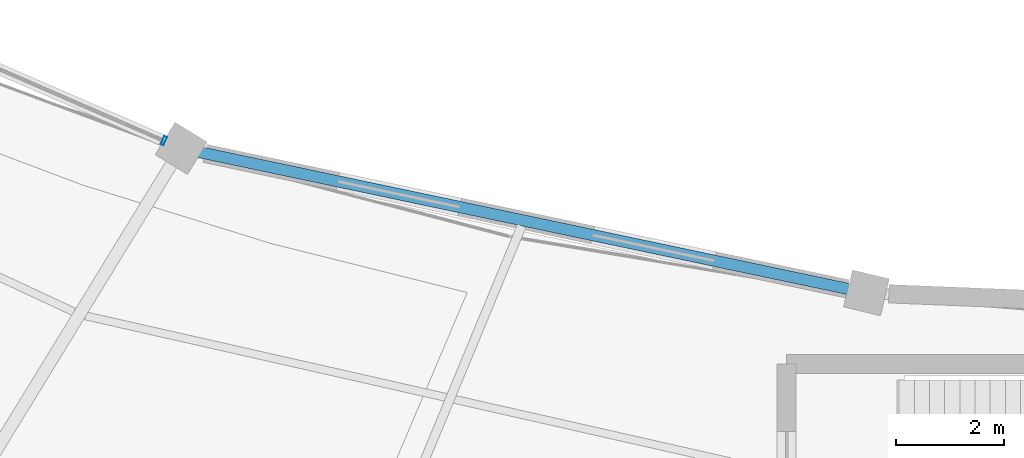
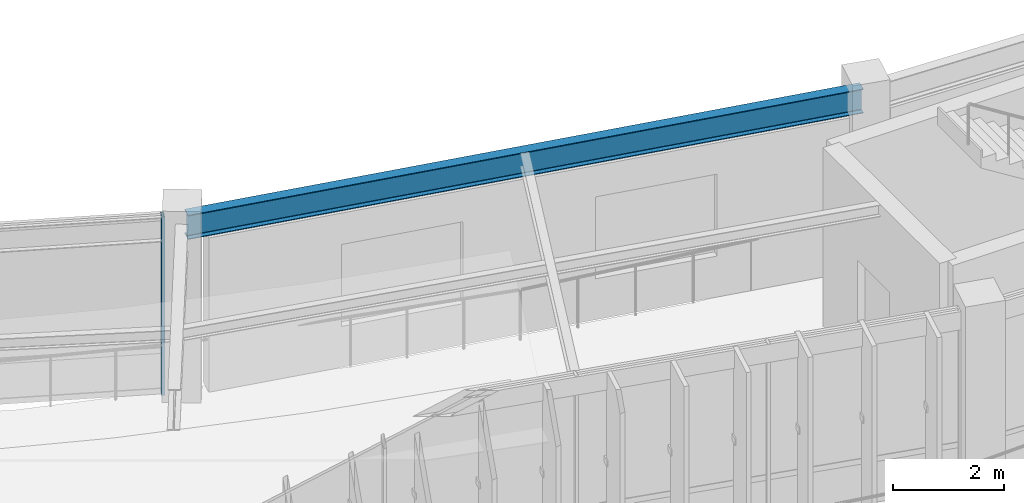
# One storey, part 62 of 152: 1 beam, 1 member, 1 element without a shape of its own.
"""IFC4 building model written with IfcOpenShell, lengths in metres."""

import ifcopenshell
import ifcopenshell.guid

model = None  # the IFC model being written
_history = None  # IfcOwnerHistory: only IFC2X3 demands one
_inside = {}  # id of a spatial element -> (the spatial element, [elements in it])
_under = {}  # id of a project, library or spatial element -> (it, [spatial elements below it])
_declared = {}  # id of a project -> (the project, [libraries it declares])
_typed = {}  # id of a type object -> (the type object, [elements of that type])
_made_of = {}  # id of a material, layer set ... -> (it, [elements and type objects made of it])


def new_model(schema):
    """Start an empty IFC model of exactly this schema.

    Asked for "IFC4X3", IfcOpenShell would pick the latest addendum, in which some entities
    have other attributes; the version numbers below select the first issue.
    IFC2X3 requires an IfcOwnerHistory on every rooted entity: one is made here for all.
    """
    global model, _history
    if schema == "IFC4X3":
        model = ifcopenshell.file(schema_version=(4, 3, 0, 0))
    else:
        model = ifcopenshell.file(schema=schema)
    _inside.clear()
    _under.clear()
    _declared.clear()
    _typed.clear()
    _made_of.clear()
    _history = None
    if model.schema == "IFC2X3":
        org = make("IfcOrganization", Name="unknown")
        user = make(
            "IfcPersonAndOrganization",
            ThePerson=make("IfcPerson", FamilyName="unknown"),
            TheOrganization=org,
        )
        app = make(
            "IfcApplication",
            ApplicationDeveloper=org,
            Version="unknown",
            ApplicationFullName="unknown",
            ApplicationIdentifier="unknown",
        )
        _history = make(
            "IfcOwnerHistory",
            OwningUser=user,
            OwningApplication=app,
            ChangeAction="ADDED",
            CreationDate=0,
        )
    return model


def make(cls, **values):
    """One entity of the class cls with the attributes given. An attribute that is None is left unset."""
    return model.create_entity(
        cls, **{name: value for name, value in values.items() if value is not None}
    )


def rooted(cls, **values):
    """An entity with a GlobalId (a new one), such as an element, a storey or a relation."""
    return make(cls, GlobalId=ifcopenshell.guid.new(), OwnerHistory=_history, **values)


def si_unit(unit_type, name, prefix=None):
    """IfcSIUnit, for example si_unit("LENGTHUNIT", "METRE", prefix="MILLI")."""
    return make("IfcSIUnit", UnitType=unit_type, Prefix=prefix, Name=name)


def assignment(units):
    """IfcUnitAssignment: the units of a project."""
    return None if units is None else make("IfcUnitAssignment", Units=units)


def point(xyz):
    """IfcCartesianPoint."""
    return None if xyz is None else make("IfcCartesianPoint", Coordinates=xyz)


def direction(xyz):
    """IfcDirection."""
    return None if xyz is None else make("IfcDirection", DirectionRatios=xyz)


def frame(location, z_axis=None, x_axis=None):
    """IfcAxis2Placement3D, a coordinate frame: its origin and axes. An axis left out is left unset."""
    return make(
        "IfcAxis2Placement3D",
        Location=point(location),
        Axis=direction(z_axis),
        RefDirection=direction(x_axis),
    )


def frame_2d(location, x_axis=None):
    """IfcAxis2Placement2D, a coordinate frame in the plane: its origin and x axis."""
    return make(
        "IfcAxis2Placement2D", Location=point(location), RefDirection=direction(x_axis)
    )


def origin():
    """The frame at (0, 0, 0) with its axes left unset."""
    return frame((0.0, 0.0, 0.0))


def origin_2d():
    """The frame at (0, 0) in the plane with its x axis left unset."""
    return frame_2d((0.0, 0.0))


def place(relative_to, where):
    """IfcLocalPlacement: puts the frame where relative to a parent placement (None: the world)."""
    return make(
        "IfcLocalPlacement", PlacementRelTo=relative_to, RelativePlacement=where
    )


def context(
    kind, dimensions, precision=None, world=None, true_north=None, identifier=None
):
    """IfcGeometricRepresentationContext, for example the 3D "Model" context."""
    return make(
        "IfcGeometricRepresentationContext",
        ContextIdentifier=identifier,
        ContextType=kind,
        CoordinateSpaceDimension=dimensions,
        Precision=precision,
        WorldCoordinateSystem=world,
        TrueNorth=true_north,
    )


def subcontext(parent, identifier, kind, view, scale=None):
    """IfcGeometricRepresentationSubContext, for example "Body" below "Model"."""
    return make(
        "IfcGeometricRepresentationSubContext",
        ContextIdentifier=identifier,
        ContextType=kind,
        ParentContext=parent,
        TargetScale=scale,
        TargetView=view,
    )


def project(units=None, contexts=None):
    """IfcProject with its units and contexts."""
    return rooted(
        "IfcProject",
        Name="project",
        RepresentationContexts=contexts,
        UnitsInContext=assignment(units),
    )


def spatial(cls, under=None, at=None, **own):
    """A site, building, storey or space (cls), placed at a placement, below another one or the project."""
    s = rooted(cls, ObjectPlacement=at, **own)
    if under is not None:
        _under.setdefault(under.id(), (under, []))[1].append(s)
    return s


def profile(cls, at=None, kind="AREA", **sizes):
    """A parametric profile (cls). Its sizes go by their IFC names, for example OverallWidth=200.0."""
    return make(cls, ProfileType=kind, Position=at, **sizes)


def hollow_rectangle(**sizes):
    """IfcRectangleHollowProfileDef."""
    return profile("IfcRectangleHollowProfileDef", **sizes)


def i_section(**sizes):
    """IfcIShapeProfileDef."""
    return profile("IfcIShapeProfileDef", **sizes)


def extrude(swept, where, along, depth):
    """IfcExtrudedAreaSolid: the profile swept, set in the frame where, extruded along a direction by depth."""
    return make(
        "IfcExtrudedAreaSolid",
        SweptArea=swept,
        Position=where,
        ExtrudedDirection=direction(along),
        Depth=depth,
    )


def shape(context_of_items, identifier, shape_type, items):
    """IfcShapeRepresentation: the items that make up one representation, for example the "Body"."""
    return make(
        "IfcShapeRepresentation",
        ContextOfItems=context_of_items,
        RepresentationIdentifier=identifier,
        RepresentationType=shape_type,
        Items=items,
    )


def material(Name=None, Category=None):
    """IfcMaterial."""
    return make("IfcMaterial", Name=Name, Category=Category)


def material_profile(
    of_material, cross_section, Name=None, Category=None, Priority=None
):
    """IfcMaterialProfile: a cross section and its material."""
    return make(
        "IfcMaterialProfile",
        Name=Name,
        Material=of_material,
        Profile=cross_section,
        Priority=Priority,
        Category=Category,
    )


def profile_set(profiles, Name=None, composite=None):
    """IfcMaterialProfileSet."""
    return make(
        "IfcMaterialProfileSet",
        Name=Name,
        MaterialProfiles=profiles,
        CompositeProfile=composite,
    )


def made_of(thing, what):
    """Note that an element or type object is made of a material, layer set ...; save() writes the relation."""
    if what is not None:
        _made_of.setdefault(what.id(), (what, []))[1].append(thing)
    return thing


def type_object(cls, material=None, **own):
    """A type object (cls), such as IfcWallType, which elements share."""
    return made_of(rooted(cls, **own), material)


def element(
    cls,
    number,
    at=None,
    inside=None,
    cuts=None,
    type_object=None,
    material=None,
    context=None,
    identifier="Body",
    shape_type=None,
    held_by="IfcProductDefinitionShape",
    body=None,
    shapes=None,
    **own,
):
    """One element of the class cls, such as IfcWall. Its Tag is "e" and its number.

    at: its placement. inside: the storey or other place that contains it. cuts: it is an
    opening in that element (IfcRelVoidsElement). A single representation is given by context,
    identifier, shape_type and body (its items); several are given by shapes. held_by: the class
    of the entity that holds the representations. save() writes the other relations.
    """
    e = rooted(cls, Tag="e%d" % number, ObjectPlacement=at, **own)
    if body is not None:
        shapes = [shape(context, identifier, shape_type, body)]
    if shapes is not None:
        e.Representation = make(held_by, Representations=shapes)
    if inside is not None:
        _inside.setdefault(inside.id(), (inside, []))[1].append(e)
    if cuts is not None:
        rooted(
            "IfcRelVoidsElement", RelatingBuildingElement=cuts, RelatedOpeningElement=e
        )
    if type_object is not None:
        _typed.setdefault(type_object.id(), (type_object, []))[1].append(e)
    return made_of(e, material)


def aggregate(whole, parts):
    """IfcRelAggregates: a whole, such as a stair, and the parts it consists of."""
    return rooted("IfcRelAggregates", RelatingObject=whole, RelatedObjects=parts)


def save(model, path):
    """Write the relations noted so far, then the file.

    IfcRelAggregates (storeys below a building ...), IfcRelContainedInSpatialStructure (elements
    in a storey), IfcRelDefinesByType, IfcRelAssociatesMaterial and IfcRelDeclares: one each for
    every whole, place, type object, material and project.
    """
    for whole, parts in _under.values():
        aggregate(whole, parts)
    for where, things in _inside.values():
        rooted(
            "IfcRelContainedInSpatialStructure",
            RelatedElements=things,
            RelatingStructure=where,
        )
    for kind, things in _typed.values():
        rooted("IfcRelDefinesByType", RelatedObjects=things, RelatingType=kind)
    for what, things in _made_of.values():
        rooted("IfcRelAssociatesMaterial", RelatedObjects=things, RelatingMaterial=what)
    for by, libraries in _declared.values():
        rooted("IfcRelDeclares", RelatingContext=by, RelatedDefinitions=libraries)
    model.write(path)


model = new_model("IFC4")

# Units and contexts
model_context = context("Model", 3, precision=1e-05, world=origin(), true_north=direction((0.0, 1.0)))
body_context = subcontext(model_context, "Body", "Model", "MODEL_VIEW")
ifc_project = project(units=[si_unit("LENGTHUNIT", "METRE"), si_unit("AREAUNIT", "SQUARE_METRE"), si_unit("VOLUMEUNIT", "CUBIC_METRE"), si_unit("PLANEANGLEUNIT", "RADIAN"), si_unit("MASSUNIT", "GRAM", prefix="KILO"), si_unit("THERMODYNAMICTEMPERATUREUNIT", "KELVIN"), si_unit("POWERUNIT", "WATT")], contexts=[model_context])

# Site, building, storey
site_placement = place(None, origin())
site = spatial("IfcSite", under=ifc_project, at=site_placement, CompositionType="ELEMENT")
building_placement = place(site_placement, origin())
building = spatial("IfcBuilding", under=site, at=building_placement, Name="Darbajah Civic Hall", CompositionType="ELEMENT")
storey_placement = place(building_placement, frame((0.0, 0.0, 5.39990234375)))
storey = spatial("IfcBuildingStorey", under=building, at=storey_placement, Name="L01", CompositionType="ELEMENT", Elevation=5.39990234375)

# Curtain wall, member
ifc_material_1 = material(Name="Anodised Bronze Aluminium and Low-E Glazing", Category="aluminium")
curtain_wall_type = type_object("IfcCurtainWallType", Name="Unitised Curtain Wall CW-19 10700x3900", PredefinedType="USERDEFINED", material=ifc_material_1)
curtain_wall_placement = place(storey_placement, origin())
curtain_wall = element("IfcCurtainWall", 1, at=curtain_wall_placement, inside=storey, type_object=curtain_wall_type, Name="L01 unitised curtain wall CW-V1I-L01-12", ObjectType="UNITISED CURTAIN WALL", PredefinedType="USERDEFINED")
ifc_material_2 = material(Name="Anodised Bronze Aluminium", Category="aluminium")
ifc_material_profile_1 = material_profile(ifc_material_2, hollow_rectangle(XDim=0.06005859375, YDim=0.159912109375, WallThickness=0.00341796875, at=origin_2d()), Name="ALU MULLION 60x160")
ifc_profile_set_1 = profile_set([ifc_material_profile_1], Name="Anodised Bronze Aluminium")
member_type = type_object("IfcMemberType", Name="ALU MULLION 60x160", PredefinedType="MULLION", material=ifc_profile_set_1)
member_placement = place(storey_placement, frame((65.891845703125, 70.926513671875, 0.0), z_axis=(0.0, 0.0, 1.0), x_axis=(0.917060074385, -0.398749068925, 0.0)))
member = element("IfcMember", 2, at=member_placement, type_object=member_type, Name="CW-V1I-L01-12 mullion 4", PredefinedType="MULLION", context=body_context, shape_type="SweptSolid", body=[
    extrude(hollow_rectangle(XDim=0.06005859375, YDim=0.159912109375, WallThickness=0.00341796875, at=origin_2d()), origin(), (0.0, 0.0, 1.0), 3.920166015625),
])
aggregate(curtain_wall, [member])

# Beam
ifc_material_3 = material(Name="Steel S355JR", Category="steel")
ifc_material_profile_2 = material_profile(ifc_material_3, i_section(OverallWidth=0.209228515625, OverallDepth=0.533203125, WebThickness=0.010009765625, FlangeThickness=0.015625, FilletRadius=0.0126953125, at=origin_2d()), Name="UB 533x210x92")
ifc_profile_set_2 = profile_set([ifc_material_profile_2], Name="Steel S355JR")
beam_type = type_object("IfcBeamType", Name="UB 533x210x92", PredefinedType="BEAM", material=ifc_profile_set_2)
beam_placement = place(storey_placement, frame((66.29296875, 70.76953125, 3.653564453125), z_axis=(0.97848162244, -0.206333987862, 0.0), x_axis=(0.206333987862, 0.97848162244, 0.0)))
element("IfcBeam", 3, at=beam_placement, inside=storey, type_object=beam_type, Name="L01 beam SB-533", PredefinedType="BEAM", context=body_context, shape_type="SweptSolid", body=[
    extrude(i_section(OverallWidth=0.209228515625, OverallDepth=0.533203125, WebThickness=0.010009765625, FlangeThickness=0.015625, FilletRadius=0.0126953125, at=origin_2d()), origin(), (0.0, 0.0, 1.0), 12.77880859375),
])

save(model, "model.ifc")
